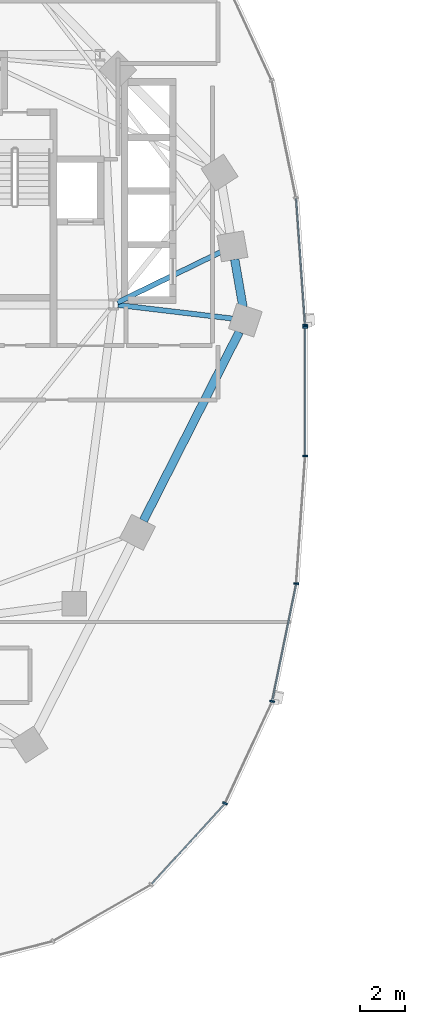
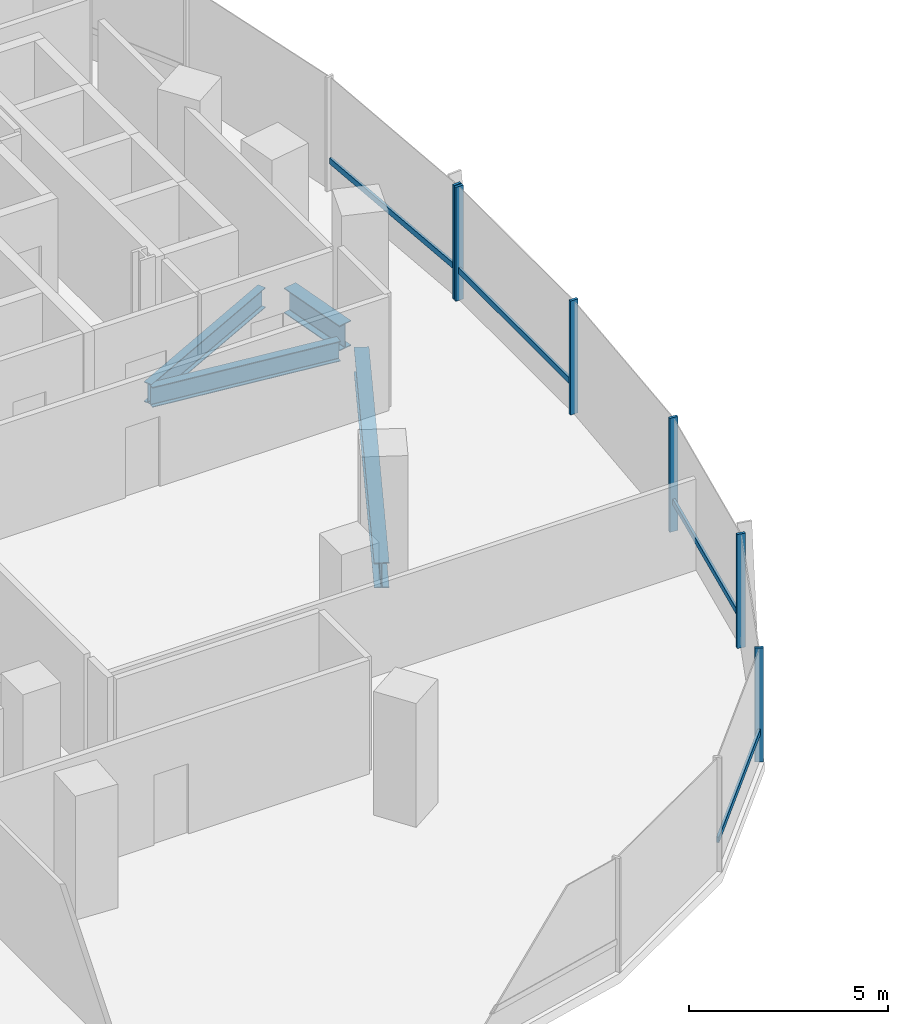
# One storey, part 3 of 21: 10 members, 4 beams, 2 elements without a shape of their own.
"""IFC4 building model written with IfcOpenShell, lengths in metres."""

import ifcopenshell
import ifcopenshell.guid

model = None  # the IFC model being written
_history = None  # IfcOwnerHistory: only IFC2X3 demands one
_inside = {}  # id of a spatial element -> (the spatial element, [elements in it])
_under = {}  # id of a project, library or spatial element -> (it, [spatial elements below it])
_declared = {}  # id of a project -> (the project, [libraries it declares])
_typed = {}  # id of a type object -> (the type object, [elements of that type])
_made_of = {}  # id of a material, layer set ... -> (it, [elements and type objects made of it])


def new_model(schema):
    """Start an empty IFC model of exactly this schema.

    Asked for "IFC4X3", IfcOpenShell would pick the latest addendum, in which some entities
    have other attributes; the version numbers below select the first issue.
    IFC2X3 requires an IfcOwnerHistory on every rooted entity: one is made here for all.
    """
    global model, _history
    if schema == "IFC4X3":
        model = ifcopenshell.file(schema_version=(4, 3, 0, 0))
    else:
        model = ifcopenshell.file(schema=schema)
    _inside.clear()
    _under.clear()
    _declared.clear()
    _typed.clear()
    _made_of.clear()
    _history = None
    if model.schema == "IFC2X3":
        org = make("IfcOrganization", Name="unknown")
        user = make(
            "IfcPersonAndOrganization",
            ThePerson=make("IfcPerson", FamilyName="unknown"),
            TheOrganization=org,
        )
        app = make(
            "IfcApplication",
            ApplicationDeveloper=org,
            Version="unknown",
            ApplicationFullName="unknown",
            ApplicationIdentifier="unknown",
        )
        _history = make(
            "IfcOwnerHistory",
            OwningUser=user,
            OwningApplication=app,
            ChangeAction="ADDED",
            CreationDate=0,
        )
    return model


def make(cls, **values):
    """One entity of the class cls with the attributes given. An attribute that is None is left unset."""
    return model.create_entity(
        cls, **{name: value for name, value in values.items() if value is not None}
    )


def rooted(cls, **values):
    """An entity with a GlobalId (a new one), such as an element, a storey or a relation."""
    return make(cls, GlobalId=ifcopenshell.guid.new(), OwnerHistory=_history, **values)


def si_unit(unit_type, name, prefix=None):
    """IfcSIUnit, for example si_unit("LENGTHUNIT", "METRE", prefix="MILLI")."""
    return make("IfcSIUnit", UnitType=unit_type, Prefix=prefix, Name=name)


def assignment(units):
    """IfcUnitAssignment: the units of a project."""
    return None if units is None else make("IfcUnitAssignment", Units=units)


def point(xyz):
    """IfcCartesianPoint."""
    return None if xyz is None else make("IfcCartesianPoint", Coordinates=xyz)


def direction(xyz):
    """IfcDirection."""
    return None if xyz is None else make("IfcDirection", DirectionRatios=xyz)


def frame(location, z_axis=None, x_axis=None):
    """IfcAxis2Placement3D, a coordinate frame: its origin and axes. An axis left out is left unset."""
    return make(
        "IfcAxis2Placement3D",
        Location=point(location),
        Axis=direction(z_axis),
        RefDirection=direction(x_axis),
    )


def frame_2d(location, x_axis=None):
    """IfcAxis2Placement2D, a coordinate frame in the plane: its origin and x axis."""
    return make(
        "IfcAxis2Placement2D", Location=point(location), RefDirection=direction(x_axis)
    )


def origin():
    """The frame at (0, 0, 0) with its axes left unset."""
    return frame((0.0, 0.0, 0.0))


def origin_2d():
    """The frame at (0, 0) in the plane with its x axis left unset."""
    return frame_2d((0.0, 0.0))


def place(relative_to, where):
    """IfcLocalPlacement: puts the frame where relative to a parent placement (None: the world)."""
    return make(
        "IfcLocalPlacement", PlacementRelTo=relative_to, RelativePlacement=where
    )


def context(
    kind, dimensions, precision=None, world=None, true_north=None, identifier=None
):
    """IfcGeometricRepresentationContext, for example the 3D "Model" context."""
    return make(
        "IfcGeometricRepresentationContext",
        ContextIdentifier=identifier,
        ContextType=kind,
        CoordinateSpaceDimension=dimensions,
        Precision=precision,
        WorldCoordinateSystem=world,
        TrueNorth=true_north,
    )


def subcontext(parent, identifier, kind, view, scale=None):
    """IfcGeometricRepresentationSubContext, for example "Body" below "Model"."""
    return make(
        "IfcGeometricRepresentationSubContext",
        ContextIdentifier=identifier,
        ContextType=kind,
        ParentContext=parent,
        TargetScale=scale,
        TargetView=view,
    )


def project(units=None, contexts=None):
    """IfcProject with its units and contexts."""
    return rooted(
        "IfcProject",
        Name="project",
        RepresentationContexts=contexts,
        UnitsInContext=assignment(units),
    )


def spatial(cls, under=None, at=None, **own):
    """A site, building, storey or space (cls), placed at a placement, below another one or the project."""
    s = rooted(cls, ObjectPlacement=at, **own)
    if under is not None:
        _under.setdefault(under.id(), (under, []))[1].append(s)
    return s


def profile(cls, at=None, kind="AREA", **sizes):
    """A parametric profile (cls). Its sizes go by their IFC names, for example OverallWidth=200.0."""
    return make(cls, ProfileType=kind, Position=at, **sizes)


def rectangle(**sizes):
    """IfcRectangleProfileDef."""
    return profile("IfcRectangleProfileDef", **sizes)


def i_section(**sizes):
    """IfcIShapeProfileDef."""
    return profile("IfcIShapeProfileDef", **sizes)


def extrude(swept, where, along, depth):
    """IfcExtrudedAreaSolid: the profile swept, set in the frame where, extruded along a direction by depth."""
    return make(
        "IfcExtrudedAreaSolid",
        SweptArea=swept,
        Position=where,
        ExtrudedDirection=direction(along),
        Depth=depth,
    )


def shape(context_of_items, identifier, shape_type, items):
    """IfcShapeRepresentation: the items that make up one representation, for example the "Body"."""
    return make(
        "IfcShapeRepresentation",
        ContextOfItems=context_of_items,
        RepresentationIdentifier=identifier,
        RepresentationType=shape_type,
        Items=items,
    )


def material(Name=None, Category=None):
    """IfcMaterial."""
    return make("IfcMaterial", Name=Name, Category=Category)


def material_profile(
    of_material, cross_section, Name=None, Category=None, Priority=None
):
    """IfcMaterialProfile: a cross section and its material."""
    return make(
        "IfcMaterialProfile",
        Name=Name,
        Material=of_material,
        Profile=cross_section,
        Priority=Priority,
        Category=Category,
    )


def profile_set(profiles, Name=None, composite=None):
    """IfcMaterialProfileSet."""
    return make(
        "IfcMaterialProfileSet",
        Name=Name,
        MaterialProfiles=profiles,
        CompositeProfile=composite,
    )


def made_of(thing, what):
    """Note that an element or type object is made of a material, layer set ...; save() writes the relation."""
    if what is not None:
        _made_of.setdefault(what.id(), (what, []))[1].append(thing)
    return thing


def type_object(cls, material=None, **own):
    """A type object (cls), such as IfcWallType, which elements share."""
    return made_of(rooted(cls, **own), material)


def element(
    cls,
    number,
    at=None,
    inside=None,
    cuts=None,
    type_object=None,
    material=None,
    context=None,
    identifier="Body",
    shape_type=None,
    held_by="IfcProductDefinitionShape",
    body=None,
    shapes=None,
    **own,
):
    """One element of the class cls, such as IfcWall. Its Tag is "e" and its number.

    at: its placement. inside: the storey or other place that contains it. cuts: it is an
    opening in that element (IfcRelVoidsElement). A single representation is given by context,
    identifier, shape_type and body (its items); several are given by shapes. held_by: the class
    of the entity that holds the representations. save() writes the other relations.
    """
    e = rooted(cls, Tag="e%d" % number, ObjectPlacement=at, **own)
    if body is not None:
        shapes = [shape(context, identifier, shape_type, body)]
    if shapes is not None:
        e.Representation = make(held_by, Representations=shapes)
    if inside is not None:
        _inside.setdefault(inside.id(), (inside, []))[1].append(e)
    if cuts is not None:
        rooted(
            "IfcRelVoidsElement", RelatingBuildingElement=cuts, RelatedOpeningElement=e
        )
    if type_object is not None:
        _typed.setdefault(type_object.id(), (type_object, []))[1].append(e)
    return made_of(e, material)


def aggregate(whole, parts):
    """IfcRelAggregates: a whole, such as a stair, and the parts it consists of."""
    return rooted("IfcRelAggregates", RelatingObject=whole, RelatedObjects=parts)


def save(model, path):
    """Write the relations noted so far, then the file.

    IfcRelAggregates (storeys below a building ...), IfcRelContainedInSpatialStructure (elements
    in a storey), IfcRelDefinesByType, IfcRelAssociatesMaterial and IfcRelDeclares: one each for
    every whole, place, type object, material and project.
    """
    for whole, parts in _under.values():
        aggregate(whole, parts)
    for where, things in _inside.values():
        rooted(
            "IfcRelContainedInSpatialStructure",
            RelatedElements=things,
            RelatingStructure=where,
        )
    for kind, things in _typed.values():
        rooted("IfcRelDefinesByType", RelatedObjects=things, RelatingType=kind)
    for what, things in _made_of.values():
        rooted("IfcRelAssociatesMaterial", RelatedObjects=things, RelatingMaterial=what)
    for by, libraries in _declared.values():
        rooted("IfcRelDeclares", RelatingContext=by, RelatedDefinitions=libraries)
    model.write(path)


model = new_model("IFC4")

# Units and contexts
model_context = context("Model", 3, precision=1e-05, world=origin(), true_north=direction((0.0, 1.0)))
body_context = subcontext(model_context, "Body", "Model", "MODEL_VIEW")
ifc_project = project(units=[si_unit("LENGTHUNIT", "METRE"), si_unit("AREAUNIT", "SQUARE_METRE"), si_unit("VOLUMEUNIT", "CUBIC_METRE"), si_unit("PLANEANGLEUNIT", "RADIAN"), si_unit("MASSUNIT", "GRAM", prefix="KILO"), si_unit("THERMODYNAMICTEMPERATUREUNIT", "KELVIN"), si_unit("POWERUNIT", "WATT")], contexts=[model_context])

# Site, building, storey
site_placement = place(None, origin())
site = spatial("IfcSite", under=ifc_project, at=site_placement, CompositionType="ELEMENT")
building_placement = place(site_placement, origin())
building = spatial("IfcBuilding", under=site, at=building_placement, Name="Cundina Bronze Exchange", CompositionType="ELEMENT")
storey_placement = place(building_placement, frame((0.0, 0.0, 54.39990234375)))
storey = spatial("IfcBuildingStorey", under=building, at=storey_placement, Name="L13", CompositionType="ELEMENT", Elevation=54.39990234375)

# Beams
ifc_material_1 = material(Name="Steel ASTM A992 Grade 50", Category="steel")
ifc_material_profile_1 = material_profile(ifc_material_1, i_section(OverallWidth=0.22998046875, OverallDepth=0.616943359375, WebThickness=0.01318359375, FlangeThickness=0.022216796875, FilletRadius=0.013916015625, at=origin_2d()), Name="W24X94", Category="steel")
ifc_profile_set_1 = profile_set([ifc_material_profile_1], Name="Steel ASTM A992 Grade 50")
beam_type_1 = type_object("IfcBeamType", Name="BM-FLR-W24B", PredefinedType="BEAM", material=ifc_profile_set_1)
beam_1_placement = place(storey_placement, frame((-21.247314453125, 3.8759765625, -0.6083984375), z_axis=(0.993035236117, -0.117817739878, 0.0), x_axis=(0.117817739878, 0.993035236117, 0.0)))
element("IfcBeam", 1, at=beam_1_placement, inside=storey, type_object=beam_type_1, Name="L13 Leg W Radial Floor Beam 00", PredefinedType="BEAM", context=body_context, shape_type="SweptSolid", body=[
    extrude(i_section(OverallWidth=0.22998046875, OverallDepth=0.616943359375, WebThickness=0.01318359375, FlangeThickness=0.022216796875, FilletRadius=0.013916015625, at=origin_2d()), origin(), (0.0, 0.0, 1.0), 5.1494140625),
])
beam_2_placement = place(storey_placement, frame((-21.2666015625, 3.989501953125, -0.6083984375), z_axis=(0.898610249448, 0.438747785849, 0.0), x_axis=(-0.438747785849, 0.898610249448, 0.0)))
element("IfcBeam", 2, at=beam_2_placement, inside=storey, type_object=beam_type_1, Name="L13 Leg W Radial Floor Beam 01", PredefinedType="BEAM", context=body_context, shape_type="SweptSolid", body=[
    extrude(i_section(OverallWidth=0.22998046875, OverallDepth=0.616943359375, WebThickness=0.01318359375, FlangeThickness=0.022216796875, FilletRadius=0.013916015625, at=origin_2d()), origin(), (0.0, 0.0, 1.0), 5.1337890625),
])
ifc_material_profile_2 = material_profile(ifc_material_1, i_section(OverallWidth=0.381103515625, OverallDepth=0.77294921875, WebThickness=0.0166015625, FlangeThickness=0.027099609375, FilletRadius=0.01904296875, at=origin_2d()), Name="W30X173", Category="steel")
ifc_profile_set_2 = profile_set([ifc_material_profile_2], Name="Steel ASTM A992 Grade 50")
beam_type_2 = type_object("IfcBeamType", Name="BM-RING-W30", PredefinedType="USERDEFINED", material=ifc_profile_set_2)
beam_3_placement = place(storey_placement, frame((-15.65087890625, 3.779296875, -0.6865234375), z_axis=(-0.171734584051, 0.985143254883, 0.0), x_axis=(-0.985143254883, -0.171734584051, 0.0)))
element("IfcBeam", 3, at=beam_3_placement, inside=storey, type_object=beam_type_2, Name="L13 W Perimeter Ring Girder 00", ObjectType="GIRDER", PredefinedType="USERDEFINED", context=body_context, shape_type="SweptSolid", body=[
    extrude(i_section(OverallWidth=0.381103515625, OverallDepth=0.77294921875, WebThickness=0.0166015625, FlangeThickness=0.027099609375, FilletRadius=0.01904296875, at=origin_2d()), origin(), (0.0, 0.0, 1.0), 2.173583984375),
])
beam_4_placement = place(storey_placement, frame((-20.108642578125, -5.775634765625, -0.6865234375), z_axis=(0.452819633606, 0.891602141889, 0.0), x_axis=(-0.891602141889, 0.452819633606, 0.0)))
element("IfcBeam", 4, at=beam_4_placement, inside=storey, type_object=beam_type_2, Name="L13 W Perimeter Ring Girder 13", ObjectType="GIRDER", PredefinedType="USERDEFINED", context=body_context, shape_type="SweptSolid", body=[
    extrude(i_section(OverallWidth=0.381103515625, OverallDepth=0.77294921875, WebThickness=0.0166015625, FlangeThickness=0.027099609375, FilletRadius=0.01904296875, at=origin_2d()), origin(), (0.0, 0.0, 1.0), 9.47900390625),
])

# Curtain wall, member
ifc_material_2 = material(Name="Anodised Bronze Aluminium 6063-T6", Category="aluminium")
curtain_wall_type = type_object("IfcCurtainWallType", Name="CWS-TRD-LOW", PredefinedType="NOTDEFINED", material=ifc_material_2)
curtain_wall_1_placement = place(storey_placement, origin())
curtain_wall_1 = element("IfcCurtainWall", 5, at=curtain_wall_1_placement, inside=storey, type_object=curtain_wall_type, Name="L13 CW-02 Curtain Wall Run CWR-L13-W1", PredefinedType="NOTDEFINED")
ifc_material_profile_3 = material_profile(ifc_material_2, rectangle(XDim=0.074951171875, YDim=0.219970703125, at=origin_2d()), Name="AL75X220", Category="aluminium")
ifc_profile_set_3 = profile_set([ifc_material_profile_3], Name="Anodised Bronze Aluminium 6063-T6")
member_type_1 = type_object("IfcMemberType", Name="CWM-MUL-220", PredefinedType="MULLION", material=ifc_profile_set_3)
member_1_placement = place(storey_placement, frame((-12.87548828125, 2.976318359375, 0.0), z_axis=(0.0, 0.0, 1.0), x_axis=(-0.070278787473, 0.997527389113, 0.0)))
member_1 = element("IfcMember", 6, at=member_1_placement, type_object=member_type_1, Name="CW-02 Mullion 1", PredefinedType="MULLION", context=body_context, shape_type="SweptSolid", body=[
    extrude(rectangle(XDim=0.074951171875, YDim=0.219970703125, at=origin_2d()), origin(), (0.0, 0.0, 1.0), 3.5),
])

# Curtain wall, members
curtain_wall_2_placement = place(storey_placement, origin())
curtain_wall_2 = element("IfcCurtainWall", 7, at=curtain_wall_2_placement, inside=storey, type_object=curtain_wall_type, Name="L13 CW-02 Curtain Wall Run CWR-L13-W4", PredefinedType="NOTDEFINED")
member_2_placement = place(storey_placement, frame((-16.455810546875, -18.423583984375, 0.0), z_axis=(0.0, 0.0, 1.0), x_axis=(0.42087749791, 0.907117485088, 0.0)))
member_2 = element("IfcMember", 8, at=member_2_placement, type_object=member_type_1, Name="CW-02 Mullion 4", PredefinedType="MULLION", context=body_context, shape_type="SweptSolid", body=[
    extrude(rectangle(XDim=0.074951171875, YDim=0.219970703125, at=origin_2d()), origin(), (0.0, 0.0, 1.0), 3.5),
])
member_3_placement = place(storey_placement, frame((-14.348876953125, -13.861328125, 0.0), z_axis=(0.0, 0.0, 1.0), x_axis=(0.201419845156, 0.979505000486, 0.0)))
member_3 = element("IfcMember", 9, at=member_3_placement, type_object=member_type_1, Name="CW-02 Mullion 5", PredefinedType="MULLION", context=body_context, shape_type="SweptSolid", body=[
    extrude(rectangle(XDim=0.074951171875, YDim=0.219970703125, at=origin_2d()), origin(), (0.0, 0.0, 1.0), 3.5),
])
member_4_placement = place(storey_placement, frame((-13.27099609375, -8.591552734375, 0.0), z_axis=(0.0, 0.0, 1.0), x_axis=(0.070278787473, 0.997527389113, 0.0)))
member_4 = element("IfcMember", 10, at=member_4_placement, type_object=member_type_1, Name="CW-02 Mullion 6", PredefinedType="MULLION", context=body_context, shape_type="SweptSolid", body=[
    extrude(rectangle(XDim=0.074951171875, YDim=0.219970703125, at=origin_2d()), origin(), (0.0, 0.0, 1.0), 3.5),
])
member_5_placement = place(storey_placement, frame((-12.8720703125, -2.880615234375, 0.0), z_axis=(0.0, 0.0, 1.0), x_axis=(0.0, 1.0, 0.0)))
member_5 = element("IfcMember", 11, at=member_5_placement, type_object=member_type_1, Name="CW-02 Mullion 7", PredefinedType="MULLION", context=body_context, shape_type="SweptSolid", body=[
    extrude(rectangle(XDim=0.074951171875, YDim=0.219970703125, at=origin_2d()), origin(), (0.0, 0.0, 1.0), 3.5),
])
member_6_placement = place(storey_placement, frame((-12.8720703125, 2.880615234375, 0.0), z_axis=(0.0, 0.0, 1.0), x_axis=(0.0, 1.0, 0.0)))
member_6 = element("IfcMember", 12, at=member_6_placement, type_object=member_type_1, Name="CW-02 End Mullion", PredefinedType="MULLION", context=body_context, shape_type="SweptSolid", body=[
    extrude(rectangle(XDim=0.074951171875, YDim=0.219970703125, at=origin_2d()), origin(), (0.0, 0.0, 1.0), 3.5),
])

# Member
ifc_material_profile_4 = material_profile(ifc_material_2, rectangle(XDim=0.070068359375, YDim=0.179931640625, at=origin_2d()), Name="AL70X180", Category="aluminium")
ifc_profile_set_4 = profile_set([ifc_material_profile_4], Name="Anodised Bronze Aluminium 6063-T6")
member_type_2 = type_object("IfcMemberType", Name="CWM-TRN-180", PredefinedType="USERDEFINED", material=ifc_profile_set_4)
member_7_placement = place(storey_placement, frame((-12.87841796875, 3.017333984375, 0.920166015625), z_axis=(-0.070260714471, 0.997528662246, 0.0), x_axis=(-0.997528662246, -0.070260714471, 0.0)))
member_7 = element("IfcMember", 13, at=member_7_placement, type_object=member_type_2, Name="CW-02 Spandrel Transom 1", ObjectType="TRANSOM", PredefinedType="USERDEFINED", context=body_context, shape_type="SweptSolid", body=[
    extrude(rectangle(XDim=0.070068359375, YDim=0.179931640625, at=origin_2d()), origin(), (0.0, 0.0, 1.0), 5.629150390625),
])

aggregate(curtain_wall_1, [member_1, member_7])

member_8_placement = place(storey_placement, frame((-19.73291015625, -22.027099609375, 0.920166015625), z_axis=(0.674302794847, 0.738454968743, 0.0), x_axis=(-0.738454968743, 0.674302794847, 0.0)))
member_8 = element("IfcMember", 14, at=member_8_placement, type_object=member_type_2, Name="CW-02 Spandrel Transom 3", ObjectType="TRANSOM", PredefinedType="USERDEFINED", context=body_context, shape_type="SweptSolid", body=[
    extrude(rectangle(XDim=0.070068359375, YDim=0.179931640625, at=origin_2d()), origin(), (0.0, 0.0, 1.0), 4.848388671875),
])

member_9_placement = place(storey_placement, frame((-14.340576171875, -13.821044921875, 0.920166015625), z_axis=(0.201427712708, 0.979503382615, 0.0), x_axis=(-0.979503382615, 0.201427712708, 0.0)))
member_9 = element("IfcMember", 15, at=member_9_placement, type_object=member_type_2, Name="CW-02 Spandrel Transom 5", ObjectType="TRANSOM", PredefinedType="USERDEFINED", context=body_context, shape_type="SweptSolid", body=[
    extrude(rectangle(XDim=0.070068359375, YDim=0.179931640625, at=origin_2d()), origin(), (0.0, 0.0, 1.0), 5.291748046875),
])

member_10_placement = place(storey_placement, frame((-12.8720703125, -2.839111328125, 0.920166015625), z_axis=(0.0, 1.0, 0.0), x_axis=(-1.0, 0.0, 0.0)))
member_10 = element("IfcMember", 16, at=member_10_placement, type_object=member_type_2, Name="CW-02 Spandrel Transom 7", ObjectType="TRANSOM", PredefinedType="USERDEFINED", context=body_context, shape_type="SweptSolid", body=[
    extrude(rectangle(XDim=0.070068359375, YDim=0.179931640625, at=origin_2d()), origin(), (0.0, 0.0, 1.0), 5.67822265625),
])

aggregate(curtain_wall_2, [member_8, member_2, member_3, member_9, member_4, member_5, member_6, member_10])

save(model, "model.ifc")
